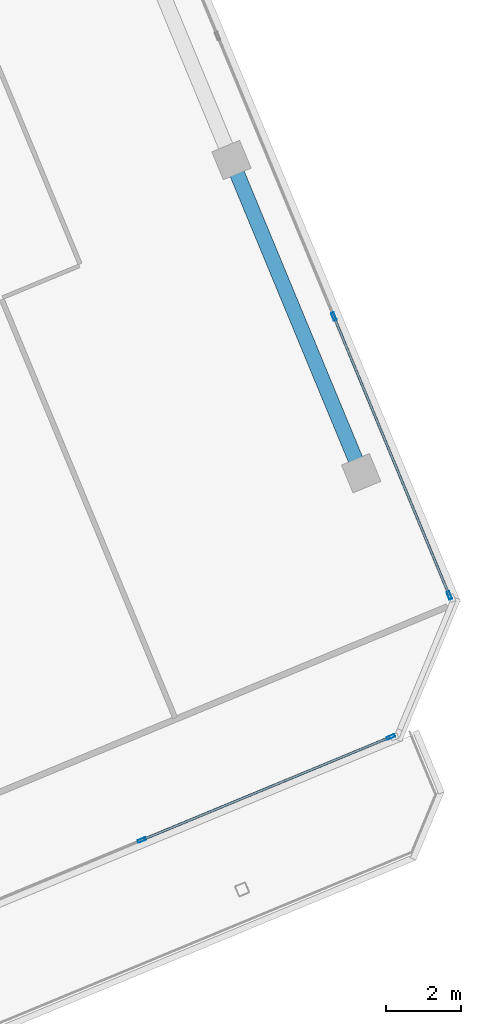
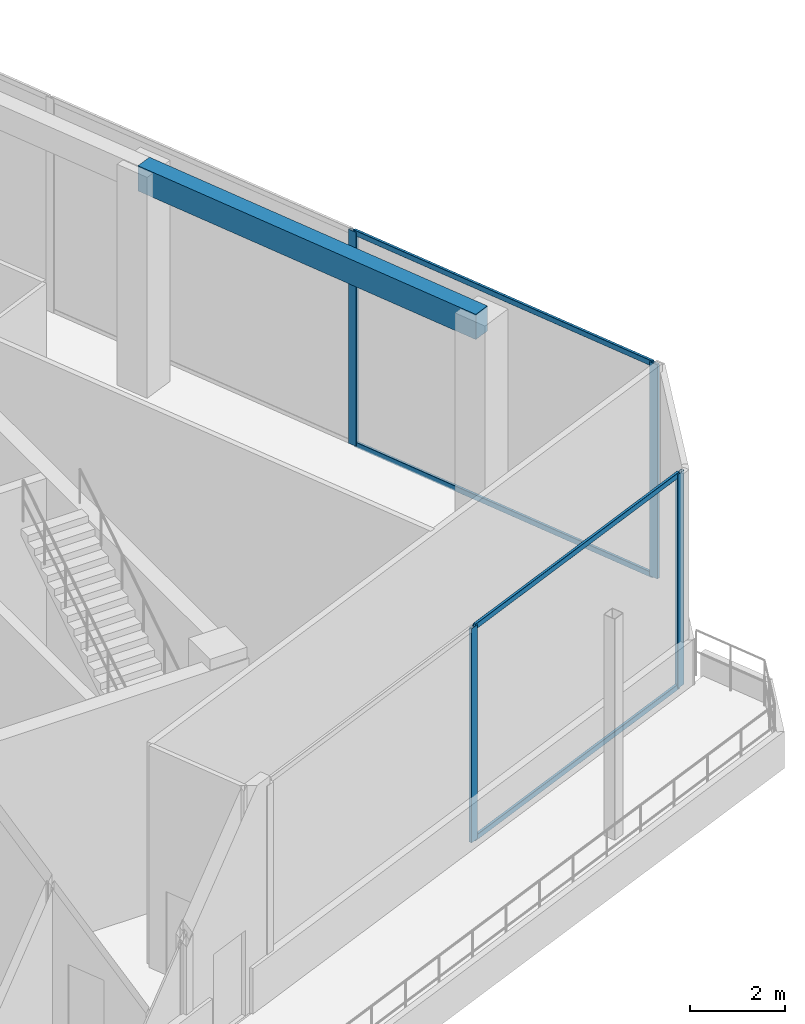
# One storey, part 6 of 16: 8 members, 1 beam, 2 elements without a shape of their own.
"""IFC4 building model written with IfcOpenShell, lengths in metres."""

from ifc_helpers import new_model, si_unit, direction, frame, origin, origin_2d, place, context, subcontext, project, spatial, rectangle, hollow_rectangle, extrude, source, transform, mapped, material, material_profile, profile_set, type_object, element, aggregate, save


model = new_model("IFC4")

# Units and contexts
model_context = context("Model", 3, precision=1e-05, world=origin(), true_north=direction((0.0, 1.0)))
body_context = subcontext(model_context, "Body", "Model", "MODEL_VIEW")
ifc_project = project(units=[si_unit("LENGTHUNIT", "METRE"), si_unit("AREAUNIT", "SQUARE_METRE"), si_unit("VOLUMEUNIT", "CUBIC_METRE"), si_unit("PLANEANGLEUNIT", "RADIAN"), si_unit("MASSUNIT", "GRAM", prefix="KILO")], contexts=[model_context])

# Site, building, storey
site_placement = place(None, origin())
site = spatial("IfcSite", under=ifc_project, at=site_placement, CompositionType="ELEMENT")
building_placement = place(site_placement, origin())
building = spatial("IfcBuilding", under=site, at=building_placement, Name="Torre Montelarca", CompositionType="ELEMENT")
storey_placement = place(building_placement, frame((0.0, 0.0, 360.0)))
storey = spatial("IfcBuildingStorey", under=building, at=storey_placement, Name="L81", CompositionType="ELEMENT", Elevation=360.0)

# Beam
ifc_material_1 = material(Name="Concrete C40/50", Category="concrete")
ifc_material_profile_1 = material_profile(ifc_material_1, rectangle(XDim=0.39990234375, YDim=0.64990234375, at=origin_2d()), Name="RCB400X650", Category="concrete")
ifc_profile_set_1 = profile_set([ifc_material_profile_1], Name="Concrete C40/50")
beam_type = type_object("IfcBeamType", Name="BM-SP-RC650-EXT", PredefinedType="SPANDREL", material=ifc_profile_set_1)
shared_shape_1 = source(origin(), body_context, "Body", "SweptSolid", [
    extrude(rectangle(XDim=0.39990234375, YDim=0.64990234375, at=origin_2d()), origin(), (0.0, 0.0, 1.0), 9.0),
])
beam_placement = place(storey_placement, frame((34.157470703125, 41.03125, 5.39501953125), z_axis=(0.382676821686, -0.923882270716, 0.0), x_axis=(0.923882270716, 0.382676821686, 0.0)))
element("IfcBeam", 1, at=beam_placement, inside=storey, type_object=beam_type, Name="L81 Grid Girder X 18.0-27.0 at Y=47.1", PredefinedType="SPANDREL", context=body_context, shape_type="MappedRepresentation", body=[
    mapped(shared_shape_1, transform((0.0, 0.0, 0.0), scale=1.0)),
])

# Curtain wall, members
ifc_material_2 = material(Name="Insulated low-E laminated glass", Category="glass")
curtain_wall_type = type_object("IfcCurtainWallType", Name="CW-SYS-Z4", PredefinedType="USERDEFINED", material=ifc_material_2)
curtain_wall_1_placement = place(storey_placement, origin())
curtain_wall_1 = element("IfcCurtainWall", 2, at=curtain_wall_1_placement, inside=storey, type_object=curtain_wall_type, Name="L81 Curtain Wall Run CW-T3-L81-E06-B2", ObjectType="UNITISED GLAZING", PredefinedType="USERDEFINED")
ifc_material_3 = material(Name="Anodised aluminium AA 6063-T6", Category="aluminium")
ifc_material_profile_2 = material_profile(ifc_material_3, hollow_rectangle(XDim=0.074951171875, YDim=0.219970703125, WallThickness=0.0048828125, InnerFilletRadius=0.0048828125, OuterFilletRadius=0.010009765625, at=origin_2d()), Name="ALU75X220X5", Category="aluminium")
ifc_profile_set_2 = profile_set([ifc_material_profile_2], Name="Anodised aluminium AA 6063-T6")
member_type_1 = type_object("IfcMemberType", Name="CWM-ALU220", PredefinedType="MULLION", material=ifc_profile_set_2)
shared_shape_2 = source(origin(), body_context, "Body", "SweptSolid", [
    extrude(hollow_rectangle(XDim=0.074951171875, YDim=0.219970703125, WallThickness=0.0048828125, InnerFilletRadius=0.0048828125, OuterFilletRadius=0.010009765625, at=origin_2d()), origin(), (0.0, 0.0, 1.0), 5.52001953125),
])
member_1_placement = place(storey_placement, frame((31.77587890625, 22.975341796875, 0.0), z_axis=(0.0, 0.0, 1.0), x_axis=(-0.382686939251, 0.923878079904, 0.0)))
member_1 = element("IfcMember", 3, at=member_1_placement, type_object=member_type_1, Name="CW mullion 2", PredefinedType="MULLION", context=body_context, shape_type="MappedRepresentation", body=[
    mapped(shared_shape_2, transform((0.0, 0.0, 0.0), scale=1.0)),
])
member_2_placement = place(storey_placement, frame((38.3876953125, 25.714111328125, 0.0), z_axis=(0.0, 0.0, 1.0), x_axis=(-0.382686939251, 0.923878079904, 0.0)))
member_2 = element("IfcMember", 4, at=member_2_placement, type_object=member_type_1, Name="CW mullion 3", PredefinedType="MULLION", context=body_context, shape_type="MappedRepresentation", body=[
    mapped(shared_shape_2, transform((0.0, 0.0, 0.0), scale=1.0)),
])

curtain_wall_2_placement = place(storey_placement, origin())
curtain_wall_2 = element("IfcCurtainWall", 5, at=curtain_wall_2_placement, inside=storey, type_object=curtain_wall_type, Name="L81 Curtain Wall Run CW-T3-L81-E08-B1", ObjectType="UNITISED GLAZING", PredefinedType="USERDEFINED")
member_3_placement = place(storey_placement, frame((39.942626953125, 29.46826171875, 0.0), z_axis=(0.0, 0.0, 1.0), x_axis=(-0.9238811263, -0.382679584596, 0.0)))
member_3 = element("IfcMember", 6, at=member_3_placement, type_object=member_type_1, Name="CW mullion 1", PredefinedType="MULLION", context=body_context, shape_type="MappedRepresentation", body=[
    mapped(shared_shape_2, transform((0.0, 0.0, 0.0), scale=1.0)),
])
member_4_placement = place(storey_placement, frame((36.8740234375, 36.87646484375, 0.0), z_axis=(0.0, 0.0, 1.0), x_axis=(-0.9238811263, -0.382679584596, 0.0)))
member_4 = element("IfcMember", 7, at=member_4_placement, type_object=member_type_1, Name="CW mullion 2", PredefinedType="MULLION", context=body_context, shape_type="MappedRepresentation", body=[
    mapped(shared_shape_2, transform((0.0, 0.0, 0.0), scale=1.0)),
])

# Member
ifc_material_profile_3 = material_profile(ifc_material_3, hollow_rectangle(XDim=0.06494140625, YDim=0.139892578125, WallThickness=0.00390625, InnerFilletRadius=0.00390625, OuterFilletRadius=0.008056640625, at=origin_2d()), Name="ALU65X140X4", Category="aluminium")
ifc_profile_set_3 = profile_set([ifc_material_profile_3], Name="Anodised aluminium AA 6063-T6")
member_type_2 = type_object("IfcMemberType", Name="CWT-ALU140", PredefinedType="USERDEFINED", material=ifc_profile_set_3)
shared_shape_3 = source(origin(), body_context, "Body", "SweptSolid", [
    extrude(hollow_rectangle(XDim=0.06494140625, YDim=0.139892578125, WallThickness=0.00390625, InnerFilletRadius=0.00390625, OuterFilletRadius=0.008056640625, at=origin_2d()), origin(), (0.0, 0.0, 1.0), 7.08154296875),
])
member_5_placement = place(storey_placement, frame((31.810546875, 22.98974609375, 0.032470703125), z_axis=(0.923880691005, 0.382680635501, 0.0), x_axis=(-0.382680635501, 0.923880691005, 0.0)))
member_5 = element("IfcMember", 8, at=member_5_placement, type_object=member_type_2, Name="CW transom 2.1", ObjectType="TRANSOM", PredefinedType="USERDEFINED", context=body_context, shape_type="MappedRepresentation", body=[
    mapped(shared_shape_3, transform((0.0, 0.0, 0.0), scale=1.0)),
])

member_6_placement = place(storey_placement, frame((31.810546875, 22.98974609375, 5.487548828125), z_axis=(0.923880691005, 0.382680635501, 0.0), x_axis=(-0.382680635501, 0.923880691005, 0.0)))
member_6 = element("IfcMember", 9, at=member_6_placement, type_object=member_type_2, Name="CW transom 2.2", ObjectType="TRANSOM", PredefinedType="USERDEFINED", context=body_context, shape_type="MappedRepresentation", body=[
    mapped(shared_shape_3, transform((0.0, 0.0, 0.0), scale=1.0)),
])

aggregate(curtain_wall_1, [member_1, member_2, member_5, member_6])

shared_shape_4 = source(origin(), body_context, "Body", "SweptSolid", [
    extrude(hollow_rectangle(XDim=0.06494140625, YDim=0.139892578125, WallThickness=0.00390625, InnerFilletRadius=0.00390625, OuterFilletRadius=0.008056640625, at=origin_2d()), origin(), (0.0, 0.0, 1.0), 7.94384765625),
])
member_7_placement = place(storey_placement, frame((39.92822265625, 29.5029296875, 0.032470703125), z_axis=(-0.382665753993, 0.923886854935, 0.0), x_axis=(-0.923886854935, -0.382665753993, 0.0)))
member_7 = element("IfcMember", 10, at=member_7_placement, type_object=member_type_2, Name="CW transom 1.1", ObjectType="TRANSOM", PredefinedType="USERDEFINED", context=body_context, shape_type="MappedRepresentation", body=[
    mapped(shared_shape_4, transform((0.0, 0.0, 0.0), scale=1.0)),
])

member_8_placement = place(storey_placement, frame((39.92822265625, 29.5029296875, 5.487548828125), z_axis=(-0.382665753993, 0.923886854935, 0.0), x_axis=(-0.923886854935, -0.382665753993, 0.0)))
member_8 = element("IfcMember", 11, at=member_8_placement, type_object=member_type_2, Name="CW transom 1.2", ObjectType="TRANSOM", PredefinedType="USERDEFINED", context=body_context, shape_type="MappedRepresentation", body=[
    mapped(shared_shape_4, transform((0.0, 0.0, 0.0), scale=1.0)),
])

aggregate(curtain_wall_2, [member_3, member_4, member_7, member_8])

save(model, "model.ifc")
